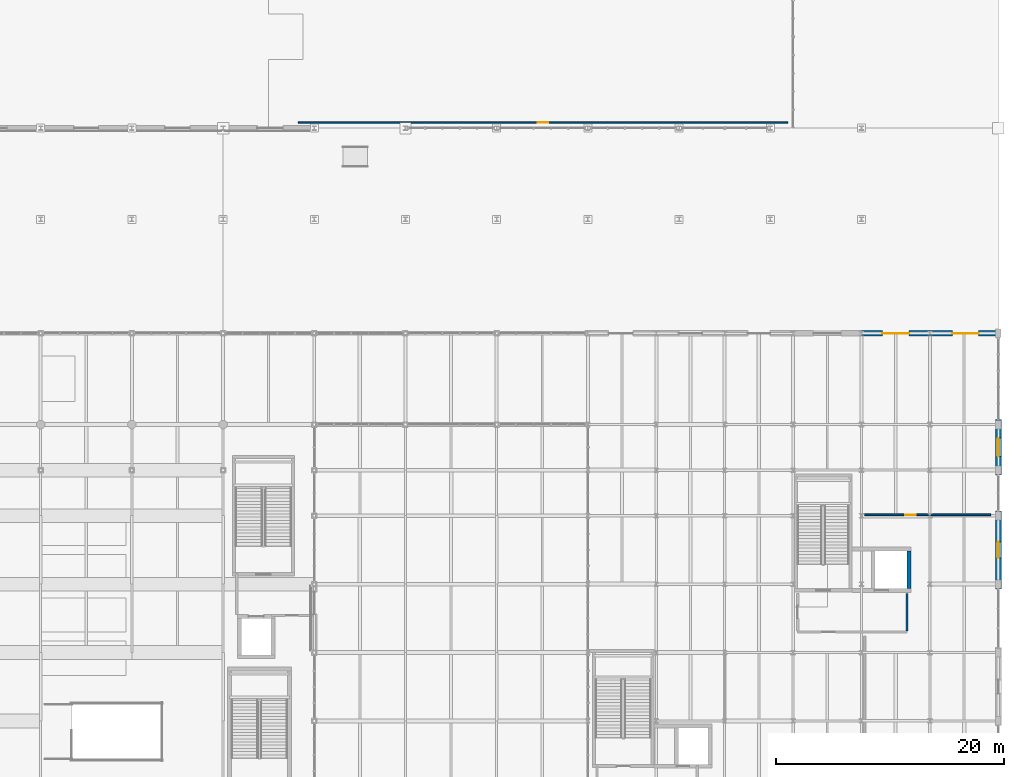
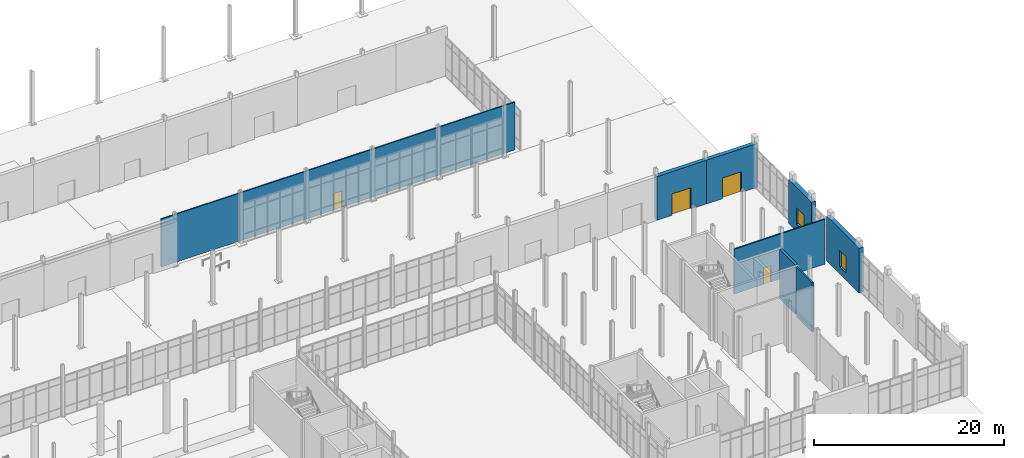
# One storey, part 126 of 140: 8 walls, 4 doors, 2 windows, 6 openings.
"""IFC4 building model written with IfcOpenShell, lengths in metres."""

from ifc_helpers import new_model, si_unit, direction, frame, frame_2d, origin, place, context, subcontext, project, spatial, rectangle, extrude, material, layer, layer_set, type_object, element, fill, save


model = new_model("IFC4")

# Units and contexts
model_context = context("Model", 3, precision=1e-05, world=origin(), true_north=direction((0.0, 1.0)))
body_context = subcontext(model_context, "Body", "Model", "MODEL_VIEW")
ifc_project = project(units=[si_unit("LENGTHUNIT", "METRE"), si_unit("AREAUNIT", "SQUARE_METRE"), si_unit("VOLUMEUNIT", "CUBIC_METRE"), si_unit("PLANEANGLEUNIT", "RADIAN"), si_unit("MASSUNIT", "GRAM", prefix="KILO")], contexts=[model_context])

# Site, building, storey
site_placement = place(None, origin())
site = spatial("IfcSite", under=ifc_project, at=site_placement, CompositionType="ELEMENT")
building_placement = place(site_placement, origin())
building = spatial("IfcBuilding", under=site, at=building_placement, Name="Verrall Gate Interchange", CompositionType="ELEMENT")
storey_placement = place(building_placement, origin())
storey = spatial("IfcBuildingStorey", under=building, at=storey_placement, Name="L01", CompositionType="ELEMENT", Elevation=0.0)

# Wall, opening, door
ifc_material_1 = material(Name="Tyndall Dolomitic Limestone Ashlar Cavity Assembly (U=0.18)", Category="masonry")
ifc_layer_1 = layer(ifc_material_1, 0.4599609375)
ifc_layer_set_1 = layer_set([ifc_layer_1], Name="Tyndall Dolomitic Limestone Ashlar Cavity Assembly (U=0.18)")
wall_type_1 = type_object("IfcWallType", Name="EW-02 Exterior Solid Wall 460", PredefinedType="SOLIDWALL", material=ifc_layer_set_1)
wall_1_placement = place(storey_placement, frame((168.25, 56.0, 0.0), z_axis=(0.0, 0.0, 1.0), x_axis=(-1.0, 0.0, 0.0)))
wall_1 = element("IfcWall", 1, at=wall_1_placement, inside=storey, type_object=wall_type_1, Name="L01 Classical Limestone Facade Wall 036", PredefinedType="SOLIDWALL", context=body_context, shape_type="SweptSolid", body=[
    extrude(rectangle(XDim=6.258056640625, YDim=0.4599609375, at=frame_2d((3.12890625, 0.0))), origin(), (0.0, 0.0, 1.0), 5.60693359375),
])
opening_1_placement = place(wall_1_placement, frame((1.97900390625, 0.0, 0.0)))
opening_1 = element("IfcOpeningElement", 2, at=opening_1_placement, cuts=wall_1, Name="Opening E30", PredefinedType="OPENING", context=body_context, shape_type="SweptSolid", body=[
    extrude(rectangle(XDim=2.300048828125, YDim=2.64990234375, at=frame_2d((1.14990234375, 1.324951171875))), frame((0.0, 0.244873046875, 0.0), z_axis=(0.0, -1.0, 0.0), x_axis=(1.0, 0.0, 0.0)), (0.0, 0.0, 1.0), 0.48974609375),
])
ifc_material_2 = material(Name="Thermally Broken Bronze-Anodized Aluminium Entrance Assembly", Category="aluminium")
door_type_1 = type_object("IfcDoorType", Name="ED-06 Exterior Entrance Door 2300x2650", OperationType="NOTDEFINED", PredefinedType="DOOR", material=ifc_material_2)
door_1_placement = place(opening_1_placement, origin())
door_1 = element("IfcDoor", 3, at=door_1_placement, inside=storey, type_object=door_type_1, Name="Main Interchange Exit Portal E30", OperationType="DOUBLE_DOOR_SINGLE_SWING", OverallHeight=2.64990234375, OverallWidth=2.300048828125, PredefinedType="DOOR", context=body_context, shape_type="SweptSolid", body=[
    extrude(rectangle(XDim=2.300048828125, YDim=2.64990234375, at=frame_2d((1.14990234375, 1.324951171875))), frame((0.0, 0.02490234375, 0.0), z_axis=(0.0, -1.0, 0.0), x_axis=(1.0, 0.0, 0.0)), (0.0, 0.0, 1.0), 0.050048828125),
])
fill(opening_1, door_1)

wall_2_placement = place(storey_placement, frame((162.008056640625, 56.0, 0.0), z_axis=(0.0, 0.0, 1.0), x_axis=(-1.0, 0.0, 0.0)))
wall_2 = element("IfcWall", 4, at=wall_2_placement, inside=storey, type_object=wall_type_1, Name="L01 Classical Limestone Facade Wall 037", PredefinedType="SOLIDWALL", context=body_context, shape_type="SweptSolid", body=[
    extrude(rectangle(XDim=6.01611328125, YDim=0.4599609375, at=frame_2d((3.008056640625, 0.0))), origin(), (0.0, 0.0, 1.0), 5.60693359375),
])
opening_2_placement = place(wall_2_placement, frame((1.837890625, 0.0, 0.0)))
opening_2 = element("IfcOpeningElement", 5, at=opening_2_placement, cuts=wall_2, Name="Opening E31", PredefinedType="OPENING", context=body_context, shape_type="SweptSolid", body=[
    extrude(rectangle(XDim=2.340087890625, YDim=2.75, at=frame_2d((1.169921875, 1.375))), frame((0.0, 0.244873046875, 0.0), z_axis=(0.0, -1.0, 0.0), x_axis=(1.0, 0.0, 0.0)), (0.0, 0.0, 1.0), 0.48974609375),
])
ifc_material_3 = material(Name="Thermally Broken Bronze-Anodized Aluminium Entrance Assembly", Category="aluminium")
door_type_2 = type_object("IfcDoorType", Name="ED-07 Exterior Entrance Door 2340x2750", OperationType="NOTDEFINED", PredefinedType="DOOR", material=ifc_material_3)
door_2_placement = place(opening_2_placement, origin())
door_2 = element("IfcDoor", 6, at=door_2_placement, inside=storey, type_object=door_type_2, Name="Main Interchange Exit Portal E31", OperationType="DOUBLE_DOOR_SINGLE_SWING", OverallHeight=2.75, OverallWidth=2.340087890625, PredefinedType="DOOR", context=body_context, shape_type="SweptSolid", body=[
    extrude(rectangle(XDim=2.340087890625, YDim=2.75, at=frame_2d((1.169921875, 1.375))), frame((0.0, 0.02490234375, 0.0), z_axis=(0.0, -1.0, 0.0), x_axis=(1.0, 0.0, 0.0)), (0.0, 0.0, 1.0), 0.050048828125),
])
fill(opening_2, door_2)

# Wall, opening, window
ifc_material_4 = material(Name="Prairie Charcoal Granite Plinth Rainscreen Assembly (U=0.18)", Category="masonry")
ifc_layer_2 = layer(ifc_material_4, 0.52001953125)
ifc_layer_set_2 = layer_set([ifc_layer_2], Name="Prairie Charcoal Granite Plinth Rainscreen Assembly (U=0.18)")
wall_type_2 = type_object("IfcWallType", Name="EW-03 Exterior Solid Wall 520", PredefinedType="SOLIDWALL", material=ifc_layer_set_2)
wall_3_placement = place(storey_placement, frame((168.0, 33.580078125, 0.0), z_axis=(0.0, 0.0, 1.0), x_axis=(0.0, 1.0, 0.0)))
wall_3 = element("IfcWall", 7, at=wall_3_placement, inside=storey, type_object=wall_type_2, Name="L01 Classical Limestone Facade Wall 034", PredefinedType="SOLIDWALL", context=body_context, shape_type="SweptSolid", body=[
    extrude(rectangle(XDim=6.83984375, YDim=0.52001953125, at=frame_2d((3.419921875, 0.0))), origin(), (0.0, 0.0, 1.0), 5.760986328125),
])
opening_3_placement = place(wall_3_placement, frame((2.719970703125, 0.0, 0.89990234375)))
opening_3 = element("IfcOpeningElement", 8, at=opening_3_placement, cuts=wall_3, Name="Opening WN-10", PredefinedType="OPENING", context=body_context, shape_type="SweptSolid", body=[
    extrude(rectangle(XDim=1.39990234375, YDim=2.10009765625, at=frame_2d((0.699951171875, 1.050048828125))), frame((0.0, 0.27490234375, 0.0), z_axis=(0.0, -1.0, 0.0), x_axis=(1.0, 0.0, 0.0)), (0.0, 0.0, 1.0), 0.5498046875),
])
ifc_material_5 = material(Name="Triple-Glazed Low-E Argon Bronze-Clad Window Unit (U=1.40)", Category="glass")
window_type_1 = type_object("IfcWindowType", Name="WN-10 Classical Deep-Reveal Window 1400x2100", PartitioningType="SINGLE_PANEL", PredefinedType="WINDOW", material=ifc_material_5)
window_1_placement = place(opening_3_placement, origin())
window_1 = element("IfcWindow", 9, at=window_1_placement, inside=storey, type_object=window_type_1, Name="L01 Classical Window 004 (WN-10)", OverallHeight=2.10009765625, OverallWidth=1.39990234375, PartitioningType="SINGLE_PANEL", PredefinedType="WINDOW", context=body_context, shape_type="SweptSolid", body=[
    extrude(rectangle(XDim=1.39990234375, YDim=2.10009765625, at=frame_2d((0.699951171875, 1.050048828125))), frame((0.0, 0.030029296875, 0.0), z_axis=(0.0, -1.0, 0.0), x_axis=(1.0, 0.0, 0.0)), (0.0, 0.0, 1.0), 0.06005859375),
])
fill(opening_3, window_1)

wall_4_placement = place(storey_placement, frame((168.0, 43.580078125, 0.0), z_axis=(0.0, 0.0, 1.0), x_axis=(0.0, 1.0, 0.0)))
wall_4 = element("IfcWall", 10, at=wall_4_placement, inside=storey, type_object=wall_type_2, Name="L01 Classical Limestone Facade Wall 035", PredefinedType="SOLIDWALL", context=body_context, shape_type="SweptSolid", body=[
    extrude(rectangle(XDim=4.83984375, YDim=0.52001953125, at=frame_2d((2.419921875, 0.0))), origin(), (0.0, 0.0, 1.0), 5.60693359375),
])
opening_4_placement = place(wall_4_placement, frame((1.6201171875, 0.0, 0.89990234375)))
opening_4 = element("IfcOpeningElement", 11, at=opening_4_placement, cuts=wall_4, Name="Opening WN-11", PredefinedType="OPENING", context=body_context, shape_type="SweptSolid", body=[
    extrude(rectangle(XDim=1.60009765625, YDim=2.10009765625, at=frame_2d((0.800048828125, 1.050048828125))), frame((0.0, 0.27490234375, 0.0), z_axis=(0.0, -1.0, 0.0), x_axis=(1.0, 0.0, 0.0)), (0.0, 0.0, 1.0), 0.5498046875),
])
ifc_material_6 = material(Name="Triple-Glazed Low-E Argon Bronze-Clad Window Unit (U=1.40)", Category="glass")
window_type_2 = type_object("IfcWindowType", Name="WN-11 Classical Deep-Reveal Window 1600x2100", PartitioningType="SINGLE_PANEL", PredefinedType="WINDOW", material=ifc_material_6)
window_2_placement = place(opening_4_placement, origin())
window_2 = element("IfcWindow", 12, at=window_2_placement, inside=storey, type_object=window_type_2, Name="L01 Classical Window 005 (WN-11)", OverallHeight=2.10009765625, OverallWidth=1.60009765625, PartitioningType="SINGLE_PANEL", PredefinedType="WINDOW", context=body_context, shape_type="SweptSolid", body=[
    extrude(rectangle(XDim=1.60009765625, YDim=2.10009765625, at=frame_2d((0.800048828125, 1.050048828125))), frame((0.0, 0.030029296875, 0.0), z_axis=(0.0, -1.0, 0.0), x_axis=(1.0, 0.0, 0.0)), (0.0, 0.0, 1.0), 0.06005859375),
])
fill(opening_4, window_2)

# Wall
ifc_material_7 = material(Name="Fire-Rated Type X Gypsum Stud Partition Assembly (60 min)", Category="gypsum")
ifc_layer_3 = layer(ifc_material_7, 0.199951171875)
ifc_layer_set_3 = layer_set([ifc_layer_3], Name="Fire-Rated Type X Gypsum Stud Partition Assembly (60 min)")
wall_type_3 = type_object("IfcWallType", Name="IW-01 Interior Partition Wall 200", PredefinedType="PARTITIONING", material=ifc_layer_set_3)
wall_5_placement = place(storey_placement, frame((160.0, 29.8798828125, 0.0), z_axis=(0.0, 0.0, 1.0), x_axis=(0.0, 1.0, 0.0)))
element("IfcWall", 13, at=wall_5_placement, inside=storey, type_object=wall_type_3, Name="L01 Core C9 Lobby East Rated Wall", PredefinedType="PARTITIONING", context=body_context, shape_type="SweptSolid", body=[
    extrude(rectangle(XDim=3.320068359375, YDim=0.199951171875, at=frame_2d((1.66015625, 0.0))), origin(), (0.0, 0.0, 1.0), 6.320068359375),
])

# Wall, opening, door
ifc_material_8 = material(Name="Fire-Rated Type X Gypsum Stud Partition Assembly (60 min)", Category="gypsum")
ifc_layer_4 = layer(ifc_material_8, 0.159912109375)
ifc_layer_set_4 = layer_set([ifc_layer_4], Name="Fire-Rated Type X Gypsum Stud Partition Assembly (60 min)")
wall_type_4 = type_object("IfcWallType", Name="IW-02 Interior Partition Wall 160", PredefinedType="PARTITIONING", material=ifc_layer_set_4)
wall_6_placement = place(storey_placement, frame((167.320068359375, 40.080078125, 0.0), z_axis=(0.0, 0.0, 1.0), x_axis=(-1.0, 0.0, 0.0)))
wall_6 = element("IfcWall", 14, at=wall_6_placement, inside=storey, type_object=wall_type_4, Name="L01 End-of-Trip Cyclist Showers and Lockers Partition 036", PredefinedType="PARTITIONING", context=body_context, shape_type="SweptSolid", body=[
    extrude(rectangle(XDim=11.0400390625, YDim=0.159912109375, at=frame_2d((5.52001953125, 0.0))), origin(), (0.0, 0.0, 1.0), 5.760986328125),
])
opening_5_placement = place(wall_6_placement, frame((6.577880859375, 0.0, 0.0)))
opening_5 = element("IfcOpeningElement", 15, at=opening_5_placement, cuts=wall_6, Name="Opening D029", PredefinedType="OPENING", context=body_context, shape_type="SweptSolid", body=[
    extrude(rectangle(XDim=0.919921875, YDim=2.10009765625, at=frame_2d((0.4599609375, 1.050048828125))), frame((0.0, 0.0947265625, 0.0), z_axis=(0.0, -1.0, 0.0), x_axis=(1.0, 0.0, 0.0)), (0.0, 0.0, 1.0), 0.189697265625),
])
ifc_material_9 = material(Name="Architectural Solid-Core Birch Acoustic Door Assembly", Category="wood")
door_type_3 = type_object("IfcDoorType", Name="ID-10 Interior Swing Door 920x2100", OperationType="NOTDEFINED", PredefinedType="DOOR", material=ifc_material_9)
door_3_placement = place(opening_5_placement, origin())
door_3 = element("IfcDoor", 16, at=door_3_placement, inside=storey, type_object=door_type_3, Name="L01 End-of-Trip Cyclist Showers and Lockers Door D029", OperationType="SINGLE_SWING_RIGHT", OverallHeight=2.10009765625, OverallWidth=0.919921875, PredefinedType="DOOR", context=body_context, shape_type="SweptSolid", body=[
    extrude(rectangle(XDim=0.919921875, YDim=2.10009765625, at=frame_2d((0.4599609375, 1.050048828125))), frame((0.0, 0.02490234375, 0.0), z_axis=(0.0, -1.0, 0.0), x_axis=(1.0, 0.0, 0.0)), (0.0, 0.0, 1.0), 0.050048828125),
])
fill(opening_5, door_3)

ifc_material_10 = material(Name="Acoustic Steel-Stud Partition Assembly", Category="steel")
ifc_layer_5 = layer(ifc_material_10, 0.139892578125)
ifc_layer_set_5 = layer_set([ifc_layer_5], Name="Acoustic Steel-Stud Partition Assembly")
wall_type_5 = type_object("IfcWallType", Name="IW-03 Interior Partition Wall 140", PredefinedType="PARTITIONING", material=ifc_layer_set_5)
wall_7_placement = place(storey_placement, frame((149.52001953125, 74.47998046875, 0.0), z_axis=(0.0, 0.0, 1.0), x_axis=(-1.0, 0.0, 0.0)))
wall_7 = element("IfcWall", 17, at=wall_7_placement, inside=storey, type_object=wall_type_5, Name="L01 East Bus Apron Information and Fare Kiosk Partition 028", PredefinedType="PARTITIONING", context=body_context, shape_type="SweptSolid", body=[
    extrude(rectangle(XDim=42.91259765625, YDim=0.139892578125, at=frame_2d((21.456298828125, 0.0))), origin(), (0.0, 0.0, 1.0), 6.147705078125),
])
opening_6_placement = place(wall_7_placement, frame((20.996337890625, 0.0, 0.0)))
opening_6 = element("IfcOpeningElement", 18, at=opening_6_placement, cuts=wall_7, Name="Opening D021", PredefinedType="OPENING", context=body_context, shape_type="SweptSolid", body=[
    extrude(rectangle(XDim=0.919921875, YDim=2.10009765625, at=frame_2d((0.4599609375, 1.050048828125))), frame((0.0, 0.0849609375, 0.0), z_axis=(0.0, -1.0, 0.0), x_axis=(1.0, 0.0, 0.0)), (0.0, 0.0, 1.0), 0.169677734375),
])
door_4_placement = place(opening_6_placement, origin())
door_4 = element("IfcDoor", 19, at=door_4_placement, inside=storey, type_object=door_type_3, Name="L01 East Bus Apron Information and Fare Kiosk Door D021", OperationType="SINGLE_SWING_RIGHT", OverallHeight=2.10009765625, OverallWidth=0.919921875, PredefinedType="DOOR", context=body_context, shape_type="SweptSolid", body=[
    extrude(rectangle(XDim=0.919921875, YDim=2.10009765625, at=frame_2d((0.4599609375, 1.050048828125))), frame((0.0, 0.02490234375, 0.0), z_axis=(0.0, -1.0, 0.0), x_axis=(1.0, 0.0, 0.0)), (0.0, 0.0, 1.0), 0.050048828125),
])
fill(opening_6, door_4)

# Wall
ifc_material_11 = material(Name="Concrete CSA A23.1 40 MPa (Class N)", Category="concrete")
ifc_layer_6 = layer(ifc_material_11, 0.340087890625)
ifc_layer_set_6 = layer_set([ifc_layer_6], Name="Concrete CSA A23.1 40 MPa (Class N)")
wall_type_6 = type_object("IfcWallType", Name="SW-02 Core Shear Wall 340", PredefinedType="SHEAR", material=ifc_layer_set_6)
wall_8_placement = place(storey_placement, frame((160.169921875, 33.60009765625, 0.0), z_axis=(0.0, 0.0, 1.0), x_axis=(0.0, 1.0, 0.0)))
element("IfcWall", 20, at=wall_8_placement, inside=storey, type_object=wall_type_6, Name="L01 Elevator EL-07 East Shaft Wall", PredefinedType="SHEAR", context=body_context, shape_type="SweptSolid", body=[
    extrude(rectangle(XDim=3.2998046875, YDim=0.340087890625, at=frame_2d((1.64990234375, 0.0))), origin(), (0.0, 0.0, 1.0), 6.320068359375),
])

save(model, "model.ifc")
